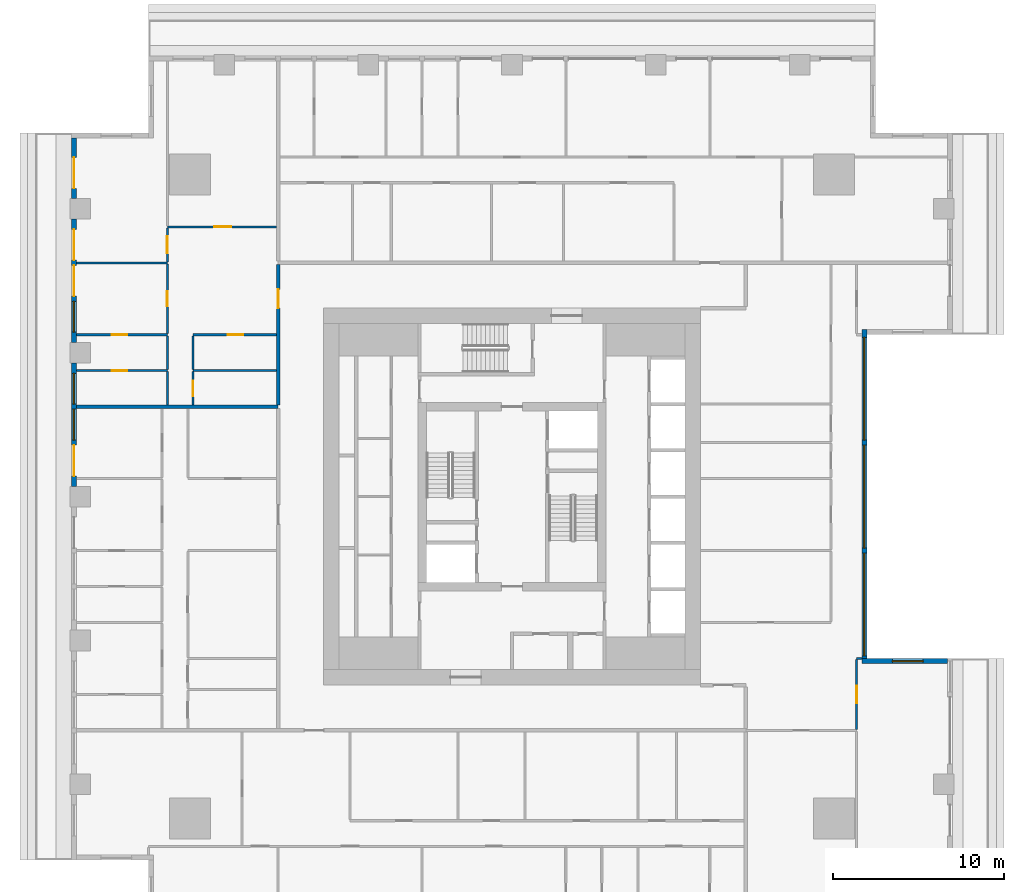
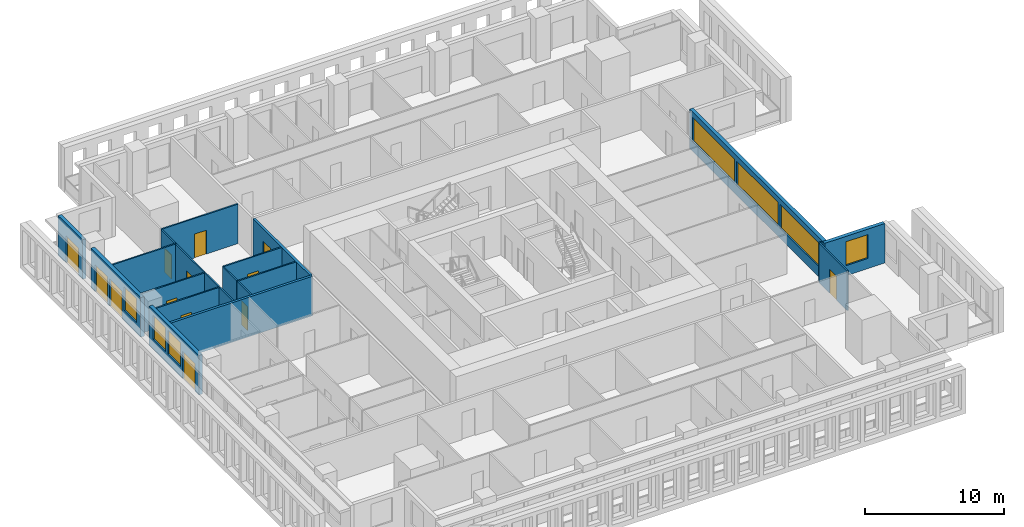
# One storey, part 6 of 15: 21 walls, 13 doors, 7 windows, 20 openings.
"""IFC4 building model written with IfcOpenShell, lengths in metres."""

from ifc_helpers import new_model, si_unit, direction, frame, frame_2d, origin, place, context, subcontext, project, spatial, rectangle, extrude, material, layer, layer_set, type_object, element, fill, save


model = new_model("IFC4")

# Units and contexts
model_context = context("Model", 3, precision=1e-05, world=origin(), true_north=direction((0.0, 1.0)))
body_context = subcontext(model_context, "Body", "Model", "MODEL_VIEW")
ifc_project = project(units=[si_unit("LENGTHUNIT", "METRE"), si_unit("AREAUNIT", "SQUARE_METRE"), si_unit("VOLUMEUNIT", "CUBIC_METRE"), si_unit("PLANEANGLEUNIT", "RADIAN"), si_unit("MASSUNIT", "GRAM", prefix="KILO")], contexts=[model_context])

# Site, building, storey
site_placement = place(None, origin())
site = spatial("IfcSite", under=ifc_project, at=site_placement, CompositionType="ELEMENT")
building_placement = place(site_placement, origin())
building = spatial("IfcBuilding", under=site, at=building_placement, Name="Khepri Terraces", CompositionType="ELEMENT")
storey_placement = place(building_placement, frame((0.0, 0.0, 215.699951171875)))
storey = spatial("IfcBuildingStorey", under=building, at=storey_placement, Name="L51", CompositionType="ELEMENT", Elevation=215.699951171875)

# Wall
ifc_material_1 = material(Name="Fire-rated gypsum plasterboard partition, mineral wool")
ifc_layer_1 = layer(ifc_material_1, 0.199951171875, Name="Fire-rated gypsum plasterboard partition, mineral wool")
ifc_layer_set_1 = layer_set([ifc_layer_1], Name="Fire-rated gypsum plasterboard partition, mineral wool")
wall_type_1 = type_object("IfcWallType", Name="WL-CORR-200", PredefinedType="PARTITIONING", material=ifc_layer_set_1)
wall_1_placement = place(storey_placement, frame((-25.419921875, 5.25, 0.0), z_axis=(0.0, 0.0, 1.0), x_axis=(1.0, 0.0, 0.0)))
element("IfcWall", 1, at=wall_1_placement, inside=storey, type_object=wall_type_1, Name="Partition P-052 L51", PredefinedType="PARTITIONING", context=body_context, shape_type="SweptSolid", body=[
    extrude(rectangle(XDim=11.77001953125, YDim=0.199951171875, at=frame_2d((5.885009765625, 0.0))), origin(), (0.0, 0.0, 1.0), 3.47998046875),
])

# Wall, opening, door
wall_2_placement = place(storey_placement, frame((-13.64990234375, 5.35009765625, 0.0), z_axis=(0.0, 0.0, 1.0), x_axis=(0.0, 1.0, 0.0)))
wall_2 = element("IfcWall", 2, at=wall_2_placement, inside=storey, type_object=wall_type_1, Name="Partition P-055 L51", PredefinedType="PARTITIONING", context=body_context, shape_type="SweptSolid", body=[
    extrude(rectangle(XDim=8.199951171875, YDim=0.199951171875, at=frame_2d((4.10009765625, 0.0))), origin(), (0.0, 0.0, 1.0), 3.47998046875),
])
opening_1_placement = place(wall_2_placement, frame((5.64990234375, 0.0, 0.0)))
opening_1 = element("IfcOpeningElement", 3, at=opening_1_placement, cuts=wall_2, Name="Opening D1", PredefinedType="OPENING", context=body_context, shape_type="SweptSolid", body=[
    extrude(rectangle(XDim=1.10009765625, YDim=2.39990234375, at=frame_2d((0.550048828125, 1.199951171875))), frame((0.0, 0.10986328125, 0.0), z_axis=(0.0, -1.0, 0.0), x_axis=(1.0, 0.0, 0.0)), (0.0, 0.0, 1.0), 0.219970703125),
])
ifc_material_2 = material(Name="Solid-core timber door leaf, flat entrance door", Category="wood")
door_type_1 = type_object("IfcDoorType", Name="DR-ENT-1100", OperationType="NOTDEFINED", PredefinedType="DOOR", material=ifc_material_2)
door_1_placement = place(opening_1_placement, origin())
door_1 = element("IfcDoor", 4, at=door_1_placement, inside=storey, type_object=door_type_1, Name="Flat D1 entrance door", OperationType="SINGLE_SWING_RIGHT", OverallHeight=2.39990234375, OverallWidth=1.10009765625, PredefinedType="DOOR", context=body_context, shape_type="SweptSolid", body=[
    extrude(rectangle(XDim=1.10009765625, YDim=2.39990234375, at=frame_2d((0.550048828125, 1.199951171875))), frame((0.0, 0.02490234375, 0.0), z_axis=(0.0, -1.0, 0.0), x_axis=(1.0, 0.0, 0.0)), (0.0, 0.0, 1.0), 0.050048828125),
])
fill(opening_1, door_1)

# Wall, opening, window
ifc_material_3 = material(Name="Precast concrete C50/60 warm stone", Category="masonry")
ifc_layer_2 = layer(ifc_material_3, 0.300048828125, Name="Precast concrete C50/60 warm stone", Category="masonry")
ifc_layer_set_2 = layer_set([ifc_layer_2], Name="Precast concrete C50/60 warm stone")
wall_type_2 = type_object("IfcWallType", Name="WL-EXT-PRECAST-300", PredefinedType="STANDARD", material=ifc_layer_set_2)
wall_3_placement = place(storey_placement, frame((25.419921875, -9.60009765625, 0.0), z_axis=(0.0, 0.0, 1.0), x_axis=(-1.0, 0.0, 0.0)))
wall_3 = element("IfcWall", 5, at=wall_3_placement, inside=storey, type_object=wall_type_2, Name="External wall L51 N", PredefinedType="STANDARD", context=body_context, shape_type="SweptSolid", body=[
    extrude(rectangle(XDim=5.0, YDim=0.300048828125, at=frame_2d((2.5, 0.0))), origin(), (0.0, 0.0, 1.0), 3.47998046875),
])
opening_2_placement = place(wall_3_placement, frame((1.419921875, 0.0, 0.89990234375)))
opening_2 = element("IfcOpeningElement", 6, at=opening_2_placement, cuts=wall_3, Name="Opening W1", PredefinedType="OPENING", context=body_context, shape_type="SweptSolid", body=[
    extrude(rectangle(XDim=1.800048828125, YDim=2.10009765625, at=frame_2d((0.89990234375, 1.050048828125))), frame((0.0, 0.16015625, 0.0), z_axis=(0.0, -1.0, 0.0), x_axis=(1.0, 0.0, 0.0)), (0.0, 0.0, 1.0), 0.320068359375),
])
ifc_material_4 = material(Name="Clear glass", Category="glass")
window_type_1 = type_object("IfcWindowType", Name="WIN-RES-1800x2100", PartitioningType="SINGLE_PANEL", PredefinedType="WINDOW", material=ifc_material_4)
window_1_placement = place(opening_2_placement, origin())
window_1 = element("IfcWindow", 7, at=window_1_placement, inside=storey, type_object=window_type_1, Name="Window L51 N", OverallHeight=2.10009765625, OverallWidth=1.800048828125, PartitioningType="SINGLE_PANEL", PredefinedType="WINDOW", context=body_context, shape_type="SweptSolid", body=[
    extrude(rectangle(XDim=1.800048828125, YDim=2.10009765625, at=frame_2d((0.89990234375, 1.050048828125))), frame((0.0, 0.030029296875, 0.0), z_axis=(0.0, -1.0, 0.0), x_axis=(1.0, 0.0, 0.0)), (0.0, 0.0, 1.0), 0.06005859375),
])
fill(opening_2, window_1)

# Wall, openings, windows
wall_4_placement = place(storey_placement, frame((20.570068359375, -9.449951171875, 0.0), z_axis=(0.0, 0.0, 1.0), x_axis=(0.0, 1.0, 0.0)))
wall_4 = element("IfcWall", 8, at=wall_4_placement, inside=storey, type_object=wall_type_2, Name="External wall L51 E", PredefinedType="STANDARD", context=body_context, shape_type="SweptSolid", body=[
    extrude(rectangle(XDim=19.199951171875, YDim=0.300048828125, at=frame_2d((9.60009765625, 0.0))), origin(), (0.0, 0.0, 1.0), 3.47998046875),
])
opening_3_placement = place(wall_4_placement, frame((0.14990234375, 0.0, 0.89990234375)))
opening_3 = element("IfcOpeningElement", 9, at=opening_3_placement, cuts=wall_4, Name="Opening W3", PredefinedType="OPENING", context=body_context, shape_type="SweptSolid", body=[
    extrude(rectangle(XDim=6.0, YDim=2.10009765625, at=frame_2d((3.0, 1.050048828125))), frame((0.0, 0.16015625, 0.0), z_axis=(0.0, -1.0, 0.0), x_axis=(1.0, 0.0, 0.0)), (0.0, 0.0, 1.0), 0.320068359375),
])
opening_4_placement = place(wall_4_placement, frame((6.449951171875, 0.0, 0.89990234375)))
opening_4 = element("IfcOpeningElement", 10, at=opening_4_placement, cuts=wall_4, Name="Opening W3", PredefinedType="OPENING", context=body_context, shape_type="SweptSolid", body=[
    extrude(rectangle(XDim=6.0, YDim=2.10009765625, at=frame_2d((3.0, 1.050048828125))), frame((0.0, 0.16015625, 0.0), z_axis=(0.0, -1.0, 0.0), x_axis=(1.0, 0.0, 0.0)), (0.0, 0.0, 1.0), 0.320068359375),
])
opening_5_placement = place(wall_4_placement, frame((12.75, 0.0, 0.89990234375)))
opening_5 = element("IfcOpeningElement", 11, at=opening_5_placement, cuts=wall_4, Name="Opening W3", PredefinedType="OPENING", context=body_context, shape_type="SweptSolid", body=[
    extrude(rectangle(XDim=6.0, YDim=2.10009765625, at=frame_2d((3.0, 1.050048828125))), frame((0.0, 0.16015625, 0.0), z_axis=(0.0, -1.0, 0.0), x_axis=(1.0, 0.0, 0.0)), (0.0, 0.0, 1.0), 0.320068359375),
])
window_type_2 = type_object("IfcWindowType", Name="WIN-RES-6000x2100", PartitioningType="SINGLE_PANEL", PredefinedType="WINDOW", material=ifc_material_4)
window_2_placement = place(opening_3_placement, origin())
window_2 = element("IfcWindow", 12, at=window_2_placement, inside=storey, type_object=window_type_2, Name="Window L51 E", OverallHeight=2.10009765625, OverallWidth=6.0, PartitioningType="SINGLE_PANEL", PredefinedType="WINDOW", context=body_context, shape_type="SweptSolid", body=[
    extrude(rectangle(XDim=6.0, YDim=2.10009765625, at=frame_2d((3.0, 1.050048828125))), frame((0.0, 0.030029296875, 0.0), z_axis=(0.0, -1.0, 0.0), x_axis=(1.0, 0.0, 0.0)), (0.0, 0.0, 1.0), 0.06005859375),
])
fill(opening_3, window_2)
window_3_placement = place(opening_4_placement, origin())
window_3 = element("IfcWindow", 13, at=window_3_placement, inside=storey, type_object=window_type_2, Name="Window L51 E", OverallHeight=2.10009765625, OverallWidth=6.0, PartitioningType="SINGLE_PANEL", PredefinedType="WINDOW", context=body_context, shape_type="SweptSolid", body=[
    extrude(rectangle(XDim=6.0, YDim=2.10009765625, at=frame_2d((3.0, 1.050048828125))), frame((0.0, 0.030029296875, 0.0), z_axis=(0.0, -1.0, 0.0), x_axis=(1.0, 0.0, 0.0)), (0.0, 0.0, 1.0), 0.06005859375),
])
fill(opening_4, window_3)
window_4_placement = place(opening_5_placement, origin())
window_4 = element("IfcWindow", 14, at=window_4_placement, inside=storey, type_object=window_type_2, Name="Window L51 E", OverallHeight=2.10009765625, OverallWidth=6.0, PartitioningType="SINGLE_PANEL", PredefinedType="WINDOW", context=body_context, shape_type="SweptSolid", body=[
    extrude(rectangle(XDim=6.0, YDim=2.10009765625, at=frame_2d((3.0, 1.050048828125))), frame((0.0, 0.030029296875, 0.0), z_axis=(0.0, -1.0, 0.0), x_axis=(1.0, 0.0, 0.0)), (0.0, 0.0, 1.0), 0.06005859375),
])
fill(opening_5, window_4)

# Wall, opening, door
wall_5_placement = place(storey_placement, frame((-25.570068359375, 20.919921875, 0.0), z_axis=(0.0, 0.0, 1.0), x_axis=(0.0, -1.0, 0.0)))
wall_5 = element("IfcWall", 15, at=wall_5_placement, inside=storey, type_object=wall_type_2, Name="External wall L51 W", PredefinedType="STANDARD", context=body_context, shape_type="SweptSolid", body=[
    extrude(rectangle(XDim=3.52001953125, YDim=0.300048828125, at=frame_2d((1.760009765625, 0.0))), origin(), (0.0, 0.0, 1.0), 3.47998046875),
])
opening_6_placement = place(wall_5_placement, frame((1.1201171875, 0.0, 0.0)))
opening_6 = element("IfcOpeningElement", 16, at=opening_6_placement, cuts=wall_5, Name="Opening ED-L51-10", PredefinedType="OPENING", context=body_context, shape_type="SweptSolid", body=[
    extrude(rectangle(XDim=1.800048828125, YDim=2.39990234375, at=frame_2d((0.89990234375, 1.199951171875))), frame((0.0, 0.16015625, 0.0), z_axis=(0.0, -1.0, 0.0), x_axis=(1.0, 0.0, 0.0)), (0.0, 0.0, 1.0), 0.320068359375),
])
ifc_material_5 = material(Name="Anodised aluminium bronze glazed door", Category="aluminium")
door_type_2 = type_object("IfcDoorType", Name="DR-BAL-SLIDE-1800x2400", OperationType="NOTDEFINED", PredefinedType="DOOR", material=ifc_material_5)
door_2_placement = place(opening_6_placement, origin())
door_2 = element("IfcDoor", 17, at=door_2_placement, inside=storey, type_object=door_type_2, Name="Balcony door L51 W", OperationType="SLIDING_TO_RIGHT", OverallHeight=2.39990234375, OverallWidth=1.800048828125, PredefinedType="DOOR", context=body_context, shape_type="SweptSolid", body=[
    extrude(rectangle(XDim=1.800048828125, YDim=2.39990234375, at=frame_2d((0.89990234375, 1.199951171875))), frame((0.0, 0.02490234375, 0.0), z_axis=(0.0, -1.0, 0.0), x_axis=(1.0, 0.0, 0.0)), (0.0, 0.0, 1.0), 0.050048828125),
])
fill(opening_6, door_2)

# Wall, openings, doors, window
wall_6_placement = place(storey_placement, frame((-25.570068359375, 16.199951171875, 0.0), z_axis=(0.0, 0.0, 1.0), x_axis=(0.0, -1.0, 0.0)))
wall_6 = element("IfcWall", 18, at=wall_6_placement, inside=storey, type_object=wall_type_2, Name="External wall L51 W", PredefinedType="STANDARD", context=body_context, shape_type="SweptSolid", body=[
    extrude(rectangle(XDim=7.199951171875, YDim=0.300048828125, at=frame_2d((3.60009765625, 0.0))), origin(), (0.0, 0.0, 1.0), 3.47998046875),
])
opening_7_placement = place(wall_6_placement, frame((0.60009765625, 0.0, 0.0)))
opening_7 = element("IfcOpeningElement", 19, at=opening_7_placement, cuts=wall_6, Name="Opening ED-L51-11", PredefinedType="OPENING", context=body_context, shape_type="SweptSolid", body=[
    extrude(rectangle(XDim=1.800048828125, YDim=2.39990234375, at=frame_2d((0.89990234375, 1.199951171875))), frame((0.0, 0.16015625, 0.0), z_axis=(0.0, -1.0, 0.0), x_axis=(1.0, 0.0, 0.0)), (0.0, 0.0, 1.0), 0.320068359375),
])
opening_8_placement = place(wall_6_placement, frame((2.699951171875, 0.0, 0.0)))
opening_8 = element("IfcOpeningElement", 20, at=opening_8_placement, cuts=wall_6, Name="Opening ED-L51-12", PredefinedType="OPENING", context=body_context, shape_type="SweptSolid", body=[
    extrude(rectangle(XDim=1.800048828125, YDim=2.39990234375, at=frame_2d((0.89990234375, 1.199951171875))), frame((0.0, 0.16015625, 0.0), z_axis=(0.0, -1.0, 0.0), x_axis=(1.0, 0.0, 0.0)), (0.0, 0.0, 1.0), 0.320068359375),
])
opening_9_placement = place(wall_6_placement, frame((4.800048828125, 0.0, 0.89990234375)))
opening_9 = element("IfcOpeningElement", 21, at=opening_9_placement, cuts=wall_6, Name="Opening W1", PredefinedType="OPENING", context=body_context, shape_type="SweptSolid", body=[
    extrude(rectangle(XDim=1.800048828125, YDim=2.10009765625, at=frame_2d((0.89990234375, 1.050048828125))), frame((0.0, 0.16015625, 0.0), z_axis=(0.0, -1.0, 0.0), x_axis=(1.0, 0.0, 0.0)), (0.0, 0.0, 1.0), 0.320068359375),
])
door_3_placement = place(opening_7_placement, origin())
door_3 = element("IfcDoor", 22, at=door_3_placement, inside=storey, type_object=door_type_2, Name="Balcony door L51 W", OperationType="SLIDING_TO_LEFT", OverallHeight=2.39990234375, OverallWidth=1.800048828125, PredefinedType="DOOR", context=body_context, shape_type="SweptSolid", body=[
    extrude(rectangle(XDim=1.800048828125, YDim=2.39990234375, at=frame_2d((0.89990234375, 1.199951171875))), frame((0.0, 0.02490234375, 0.0), z_axis=(0.0, -1.0, 0.0), x_axis=(1.0, 0.0, 0.0)), (0.0, 0.0, 1.0), 0.050048828125),
])
fill(opening_7, door_3)
door_4_placement = place(opening_8_placement, origin())
door_4 = element("IfcDoor", 23, at=door_4_placement, inside=storey, type_object=door_type_2, Name="Balcony door L51 W", OperationType="SLIDING_TO_RIGHT", OverallHeight=2.39990234375, OverallWidth=1.800048828125, PredefinedType="DOOR", context=body_context, shape_type="SweptSolid", body=[
    extrude(rectangle(XDim=1.800048828125, YDim=2.39990234375, at=frame_2d((0.89990234375, 1.199951171875))), frame((0.0, 0.02490234375, 0.0), z_axis=(0.0, -1.0, 0.0), x_axis=(1.0, 0.0, 0.0)), (0.0, 0.0, 1.0), 0.050048828125),
])
fill(opening_8, door_4)
window_5_placement = place(opening_9_placement, origin())
window_5 = element("IfcWindow", 24, at=window_5_placement, inside=storey, type_object=window_type_1, Name="Window L51 W", OverallHeight=2.10009765625, OverallWidth=1.800048828125, PartitioningType="SINGLE_PANEL", PredefinedType="WINDOW", context=body_context, shape_type="SweptSolid", body=[
    extrude(rectangle(XDim=1.800048828125, YDim=2.10009765625, at=frame_2d((0.89990234375, 1.050048828125))), frame((0.0, 0.030029296875, 0.0), z_axis=(0.0, -1.0, 0.0), x_axis=(1.0, 0.0, 0.0)), (0.0, 0.0, 1.0), 0.06005859375),
])
fill(opening_9, window_5)

# Wall, openings, door, windows
wall_7_placement = place(storey_placement, frame((-25.570068359375, 7.800048828125, 0.0), z_axis=(0.0, 0.0, 1.0), x_axis=(0.0, -1.0, 0.0)))
wall_7 = element("IfcWall", 25, at=wall_7_placement, inside=storey, type_object=wall_type_2, Name="External wall L51 W", PredefinedType="STANDARD", context=body_context, shape_type="SweptSolid", body=[
    extrude(rectangle(XDim=7.199951171875, YDim=0.300048828125, at=frame_2d((3.60009765625, 0.0))), origin(), (0.0, 0.0, 1.0), 3.47998046875),
])
opening_10_placement = place(wall_7_placement, frame((0.60009765625, 0.0, 0.89990234375)))
opening_10 = element("IfcOpeningElement", 26, at=opening_10_placement, cuts=wall_7, Name="Opening W1", PredefinedType="OPENING", context=body_context, shape_type="SweptSolid", body=[
    extrude(rectangle(XDim=1.800048828125, YDim=2.10009765625, at=frame_2d((0.89990234375, 1.050048828125))), frame((0.0, 0.16015625, 0.0), z_axis=(0.0, -1.0, 0.0), x_axis=(1.0, 0.0, 0.0)), (0.0, 0.0, 1.0), 0.320068359375),
])
opening_11_placement = place(wall_7_placement, frame((2.699951171875, 0.0, 0.89990234375)))
opening_11 = element("IfcOpeningElement", 27, at=opening_11_placement, cuts=wall_7, Name="Opening W1", PredefinedType="OPENING", context=body_context, shape_type="SweptSolid", body=[
    extrude(rectangle(XDim=1.800048828125, YDim=2.10009765625, at=frame_2d((0.89990234375, 1.050048828125))), frame((0.0, 0.16015625, 0.0), z_axis=(0.0, -1.0, 0.0), x_axis=(1.0, 0.0, 0.0)), (0.0, 0.0, 1.0), 0.320068359375),
])
opening_12_placement = place(wall_7_placement, frame((4.800048828125, 0.0, 0.0)))
opening_12 = element("IfcOpeningElement", 28, at=opening_12_placement, cuts=wall_7, Name="Opening ED-L51-13", PredefinedType="OPENING", context=body_context, shape_type="SweptSolid", body=[
    extrude(rectangle(XDim=1.800048828125, YDim=2.39990234375, at=frame_2d((0.89990234375, 1.199951171875))), frame((0.0, 0.16015625, 0.0), z_axis=(0.0, -1.0, 0.0), x_axis=(1.0, 0.0, 0.0)), (0.0, 0.0, 1.0), 0.320068359375),
])
door_5_placement = place(opening_12_placement, origin())
door_5 = element("IfcDoor", 29, at=door_5_placement, inside=storey, type_object=door_type_2, Name="Balcony door L51 W", OperationType="SLIDING_TO_RIGHT", OverallHeight=2.39990234375, OverallWidth=1.800048828125, PredefinedType="DOOR", context=body_context, shape_type="SweptSolid", body=[
    extrude(rectangle(XDim=1.800048828125, YDim=2.39990234375, at=frame_2d((0.89990234375, 1.199951171875))), frame((0.0, 0.02490234375, 0.0), z_axis=(0.0, -1.0, 0.0), x_axis=(1.0, 0.0, 0.0)), (0.0, 0.0, 1.0), 0.050048828125),
])
fill(opening_12, door_5)
window_6_placement = place(opening_10_placement, origin())
window_6 = element("IfcWindow", 30, at=window_6_placement, inside=storey, type_object=window_type_1, Name="Window L51 W", OverallHeight=2.10009765625, OverallWidth=1.800048828125, PartitioningType="SINGLE_PANEL", PredefinedType="WINDOW", context=body_context, shape_type="SweptSolid", body=[
    extrude(rectangle(XDim=1.800048828125, YDim=2.10009765625, at=frame_2d((0.89990234375, 1.050048828125))), frame((0.0, 0.030029296875, 0.0), z_axis=(0.0, -1.0, 0.0), x_axis=(1.0, 0.0, 0.0)), (0.0, 0.0, 1.0), 0.06005859375),
])
fill(opening_10, window_6)
window_7_placement = place(opening_11_placement, origin())
window_7 = element("IfcWindow", 31, at=window_7_placement, inside=storey, type_object=window_type_1, Name="Window L51 W", OverallHeight=2.10009765625, OverallWidth=1.800048828125, PartitioningType="SINGLE_PANEL", PredefinedType="WINDOW", context=body_context, shape_type="SweptSolid", body=[
    extrude(rectangle(XDim=1.800048828125, YDim=2.10009765625, at=frame_2d((0.89990234375, 1.050048828125))), frame((0.0, 0.030029296875, 0.0), z_axis=(0.0, -1.0, 0.0), x_axis=(1.0, 0.0, 0.0)), (0.0, 0.0, 1.0), 0.06005859375),
])
fill(opening_11, window_7)

# Wall, opening, door
ifc_material_6 = material(Name="Gypsum plasterboard partition")
ifc_layer_3 = layer(ifc_material_6, 0.1201171875, Name="Gypsum plasterboard partition")
ifc_layer_set_3 = layer_set([ifc_layer_3], Name="Gypsum plasterboard partition")
wall_type_3 = type_object("IfcWallType", Name="WL-PART-120", PredefinedType="PARTITIONING", material=ifc_layer_set_3)
wall_8_placement = place(storey_placement, frame((20.1201171875, -13.590087890625, 0.0), z_axis=(0.0, 0.0, 1.0), x_axis=(0.0, 1.0, 0.0)))
wall_8 = element("IfcWall", 32, at=wall_8_placement, inside=storey, type_object=wall_type_3, Name="Partition P-020 L51", PredefinedType="PARTITIONING", context=body_context, shape_type="SweptSolid", body=[
    extrude(rectangle(XDim=4.080078125, YDim=0.1201171875, at=frame_2d((2.0400390625, 0.0))), origin(), (0.0, 0.0, 1.0), 3.47998046875),
])
opening_13_placement = place(wall_8_placement, frame((1.5400390625, 0.0, 0.0)))
opening_13 = element("IfcOpeningElement", 33, at=opening_13_placement, cuts=wall_8, Name="Opening D2", PredefinedType="OPENING", context=body_context, shape_type="SweptSolid", body=[
    extrude(rectangle(XDim=1.0, YDim=2.10009765625, at=frame_2d((0.5, 1.050048828125))), frame((0.0, 0.070068359375, 0.0), z_axis=(0.0, -1.0, 0.0), x_axis=(1.0, 0.0, 0.0)), (0.0, 0.0, 1.0), 0.14013671875),
])
ifc_material_7 = material(Name="Timber door leaf, living room door", Category="wood")
door_type_3 = type_object("IfcDoorType", Name="DR-INT-1000", OperationType="NOTDEFINED", PredefinedType="DOOR", material=ifc_material_7)
door_6_placement = place(opening_13_placement, frame((1.0, 0.0, 0.0), z_axis=(0.0, 0.0, 1.0), x_axis=(-1.0, 0.0, 0.0)))
door_6 = element("IfcDoor", 34, at=door_6_placement, inside=storey, type_object=door_type_3, Name="Door Living Room", OperationType="SINGLE_SWING_RIGHT", OverallHeight=2.10009765625, OverallWidth=1.0, PredefinedType="DOOR", context=body_context, shape_type="SweptSolid", body=[
    extrude(rectangle(XDim=1.0, YDim=2.10009765625, at=frame_2d((0.5, 1.050048828125))), frame((0.0, 0.02490234375, 0.0), z_axis=(0.0, -1.0, 0.0), x_axis=(1.0, 0.0, 0.0)), (0.0, 0.0, 1.0), 0.050048828125),
])
fill(opening_13, door_6)

# Walls
wall_9_placement = place(storey_placement, frame((20.1201171875, -9.449951171875, 0.0), z_axis=(0.0, 0.0, 1.0), x_axis=(1.0, 0.0, 0.0)))
element("IfcWall", 35, at=wall_9_placement, inside=storey, type_object=wall_type_3, Name="Partition P-031 L51", PredefinedType="PARTITIONING", context=body_context, shape_type="SweptSolid", body=[
    extrude(rectangle(XDim=0.2998046875, YDim=0.1201171875, at=frame_2d((0.14990234375, 0.0))), origin(), (0.0, 0.0, 1.0), 3.47998046875),
])
wall_10_placement = place(storey_placement, frame((-20.1201171875, 5.35009765625, 0.0), z_axis=(0.0, 0.0, 1.0), x_axis=(0.0, 1.0, 0.0)))
element("IfcWall", 36, at=wall_10_placement, inside=storey, type_object=wall_type_3, Name="Partition P-053 L51", PredefinedType="PARTITIONING", context=body_context, shape_type="SweptSolid", body=[
    extrude(rectangle(XDim=1.93994140625, YDim=0.1201171875, at=frame_2d((0.969970703125, 0.0))), origin(), (0.0, 0.0, 1.0), 3.47998046875),
])

# Wall, opening, door
wall_11_placement = place(storey_placement, frame((-18.6201171875, 5.35009765625, 0.0), z_axis=(0.0, 0.0, 1.0), x_axis=(0.0, 1.0, 0.0)))
wall_11 = element("IfcWall", 37, at=wall_11_placement, inside=storey, type_object=wall_type_3, Name="Partition P-054 L51", PredefinedType="PARTITIONING", context=body_context, shape_type="SweptSolid", body=[
    extrude(rectangle(XDim=1.93994140625, YDim=0.1201171875, at=frame_2d((0.969970703125, 0.0))), origin(), (0.0, 0.0, 1.0), 3.47998046875),
])
opening_14_placement = place(wall_11_placement, frame((0.5, 0.0, 0.0)))
opening_14 = element("IfcOpeningElement", 38, at=opening_14_placement, cuts=wall_11, Name="Opening D3", PredefinedType="OPENING", context=body_context, shape_type="SweptSolid", body=[
    extrude(rectangle(XDim=0.89990234375, YDim=2.10009765625, at=frame_2d((0.449951171875, 1.050048828125))), frame((0.0, 0.070068359375, 0.0), z_axis=(0.0, -1.0, 0.0), x_axis=(1.0, 0.0, 0.0)), (0.0, 0.0, 1.0), 0.14013671875),
])
ifc_material_8 = material(Name="Timber door leaf", Category="wood")
door_type_4 = type_object("IfcDoorType", Name="DR-INT-900", OperationType="NOTDEFINED", PredefinedType="DOOR", material=ifc_material_8)
door_7_placement = place(opening_14_placement, frame((0.89990234375, 0.0, 0.0), z_axis=(0.0, 0.0, 1.0), x_axis=(-1.0, 0.0, 0.0)))
door_7 = element("IfcDoor", 39, at=door_7_placement, inside=storey, type_object=door_type_4, Name="Door Kitchen", OperationType="SINGLE_SWING_RIGHT", OverallHeight=2.10009765625, OverallWidth=0.89990234375, PredefinedType="DOOR", context=body_context, shape_type="SweptSolid", body=[
    extrude(rectangle(XDim=0.89990234375, YDim=2.10009765625, at=frame_2d((0.449951171875, 1.050048828125))), frame((0.0, 0.02490234375, 0.0), z_axis=(0.0, -1.0, 0.0), x_axis=(1.0, 0.0, 0.0)), (0.0, 0.0, 1.0), 0.050048828125),
])
fill(opening_14, door_7)

wall_12_placement = place(storey_placement, frame((-25.419921875, 7.35009765625, 0.0), z_axis=(0.0, 0.0, 1.0), x_axis=(1.0, 0.0, 0.0)))
wall_12 = element("IfcWall", 40, at=wall_12_placement, inside=storey, type_object=wall_type_3, Name="Partition P-058 L51", PredefinedType="PARTITIONING", context=body_context, shape_type="SweptSolid", body=[
    extrude(rectangle(XDim=5.2998046875, YDim=0.1201171875, at=frame_2d((2.64990234375, 0.0))), origin(), (0.0, 0.0, 1.0), 3.47998046875),
])
opening_15_placement = place(wall_12_placement, frame((2.050048828125, 0.0, 0.0)))
opening_15 = element("IfcOpeningElement", 41, at=opening_15_placement, cuts=wall_12, Name="Opening D4", PredefinedType="OPENING", context=body_context, shape_type="SweptSolid", body=[
    extrude(rectangle(XDim=0.89990234375, YDim=2.10009765625, at=frame_2d((0.449951171875, 1.050048828125))), frame((0.0, 0.070068359375, 0.0), z_axis=(0.0, -1.0, 0.0), x_axis=(1.0, 0.0, 0.0)), (0.0, 0.0, 1.0), 0.14013671875),
])
ifc_material_9 = material(Name="Timber door leaf, moisture resistant", Category="wood")
door_type_5 = type_object("IfcDoorType", Name="DR-WET-900", OperationType="NOTDEFINED", PredefinedType="DOOR", material=ifc_material_9)
door_8_placement = place(opening_15_placement, frame((0.89990234375, 0.0, 0.0), z_axis=(0.0, 0.0, 1.0), x_axis=(-1.0, 0.0, 0.0)))
door_8 = element("IfcDoor", 42, at=door_8_placement, inside=storey, type_object=door_type_5, Name="Door Bathroom", OperationType="SINGLE_SWING_RIGHT", OverallHeight=2.10009765625, OverallWidth=0.89990234375, PredefinedType="DOOR", context=body_context, shape_type="SweptSolid", body=[
    extrude(rectangle(XDim=0.89990234375, YDim=2.10009765625, at=frame_2d((0.449951171875, 1.050048828125))), frame((0.0, 0.02490234375, 0.0), z_axis=(0.0, -1.0, 0.0), x_axis=(1.0, 0.0, 0.0)), (0.0, 0.0, 1.0), 0.050048828125),
])
fill(opening_15, door_8)

# Walls
wall_13_placement = place(storey_placement, frame((-18.6201171875, 7.35009765625, 0.0), z_axis=(0.0, 0.0, 1.0), x_axis=(1.0, 0.0, 0.0)))
element("IfcWall", 43, at=wall_13_placement, inside=storey, type_object=wall_type_3, Name="Partition P-059 L51", PredefinedType="PARTITIONING", context=body_context, shape_type="SweptSolid", body=[
    extrude(rectangle(XDim=4.8701171875, YDim=0.1201171875, at=frame_2d((2.43505859375, 0.0))), origin(), (0.0, 0.0, 1.0), 3.47998046875),
])
for number, where, z_axis, x_axis, name in (
    (44, (-20.1201171875, 7.409912109375, 0.0), (0.0, 0.0, 1.0), (0.0, 1.0, 0.0), "Partition P-060 L51"),
    (45, (-18.6201171875, 7.409912109375, 0.0), (0.0, 0.0, 1.0), (0.0, 1.0, 0.0), "Partition P-061 L51"),
):
    element("IfcWall", number, at=place(storey_placement, frame(where, z_axis=z_axis, x_axis=x_axis)), inside=storey, type_object=wall_type_3, Name=name, PredefinedType="PARTITIONING", context=body_context, shape_type="SweptSolid", body=[
        extrude(rectangle(XDim=1.97998046875, YDim=0.1201171875, at=frame_2d((0.989990234375, 0.0))), origin(), (0.0, 0.0, 1.0), 3.47998046875),
    ])

# Wall, opening, door
wall_14_placement = place(storey_placement, frame((-25.419921875, 9.449951171875, 0.0), z_axis=(0.0, 0.0, 1.0), x_axis=(1.0, 0.0, 0.0)))
wall_14 = element("IfcWall", 46, at=wall_14_placement, inside=storey, type_object=wall_type_3, Name="Partition P-062 L51", PredefinedType="PARTITIONING", context=body_context, shape_type="SweptSolid", body=[
    extrude(rectangle(XDim=5.2998046875, YDim=0.1201171875, at=frame_2d((2.64990234375, 0.0))), origin(), (0.0, 0.0, 1.0), 3.47998046875),
])
opening_16_placement = place(wall_14_placement, frame((2.050048828125, 0.0, 0.0)))
opening_16 = element("IfcOpeningElement", 47, at=opening_16_placement, cuts=wall_14, Name="Opening D3", PredefinedType="OPENING", context=body_context, shape_type="SweptSolid", body=[
    extrude(rectangle(XDim=0.89990234375, YDim=2.10009765625, at=frame_2d((0.449951171875, 1.050048828125))), frame((0.0, 0.070068359375, 0.0), z_axis=(0.0, -1.0, 0.0), x_axis=(1.0, 0.0, 0.0)), (0.0, 0.0, 1.0), 0.14013671875),
])
door_9_placement = place(opening_16_placement, frame((0.89990234375, 0.0, 0.0), z_axis=(0.0, 0.0, 1.0), x_axis=(-1.0, 0.0, 0.0)))
door_9 = element("IfcDoor", 48, at=door_9_placement, inside=storey, type_object=door_type_4, Name="Door Dressing Room", OperationType="SINGLE_SWING_RIGHT", OverallHeight=2.10009765625, OverallWidth=0.89990234375, PredefinedType="DOOR", context=body_context, shape_type="SweptSolid", body=[
    extrude(rectangle(XDim=0.89990234375, YDim=2.10009765625, at=frame_2d((0.449951171875, 1.050048828125))), frame((0.0, 0.02490234375, 0.0), z_axis=(0.0, -1.0, 0.0), x_axis=(1.0, 0.0, 0.0)), (0.0, 0.0, 1.0), 0.050048828125),
])
fill(opening_16, door_9)

wall_15_placement = place(storey_placement, frame((-18.6201171875, 9.449951171875, 0.0), z_axis=(0.0, 0.0, 1.0), x_axis=(1.0, 0.0, 0.0)))
wall_15 = element("IfcWall", 49, at=wall_15_placement, inside=storey, type_object=wall_type_3, Name="Partition P-063 L51", PredefinedType="PARTITIONING", context=body_context, shape_type="SweptSolid", body=[
    extrude(rectangle(XDim=4.8701171875, YDim=0.1201171875, at=frame_2d((2.43505859375, 0.0))), origin(), (0.0, 0.0, 1.0), 3.47998046875),
])
opening_17_placement = place(wall_15_placement, frame((2.034912109375, 0.0, 0.0)))
opening_17 = element("IfcOpeningElement", 50, at=opening_17_placement, cuts=wall_15, Name="Opening D4", PredefinedType="OPENING", context=body_context, shape_type="SweptSolid", body=[
    extrude(rectangle(XDim=0.89990234375, YDim=2.10009765625, at=frame_2d((0.449951171875, 1.050048828125))), frame((0.0, 0.070068359375, 0.0), z_axis=(0.0, -1.0, 0.0), x_axis=(1.0, 0.0, 0.0)), (0.0, 0.0, 1.0), 0.14013671875),
])
door_10_placement = place(opening_17_placement, frame((0.89990234375, 0.0, 0.0), z_axis=(0.0, 0.0, 1.0), x_axis=(-1.0, 0.0, 0.0)))
door_10 = element("IfcDoor", 51, at=door_10_placement, inside=storey, type_object=door_type_5, Name="Door Guest Bathroom", OperationType="SINGLE_SWING_LEFT", OverallHeight=2.10009765625, OverallWidth=0.89990234375, PredefinedType="DOOR", context=body_context, shape_type="SweptSolid", body=[
    extrude(rectangle(XDim=0.89990234375, YDim=2.10009765625, at=frame_2d((0.449951171875, 1.050048828125))), frame((0.0, 0.02490234375, 0.0), z_axis=(0.0, -1.0, 0.0), x_axis=(1.0, 0.0, 0.0)), (0.0, 0.0, 1.0), 0.050048828125),
])
fill(opening_17, door_10)

wall_16_placement = place(storey_placement, frame((-20.1201171875, 9.510009765625, 0.0), z_axis=(0.0, 0.0, 1.0), x_axis=(0.0, 1.0, 0.0)))
wall_16 = element("IfcWall", 52, at=wall_16_placement, inside=storey, type_object=wall_type_3, Name="Partition P-065 L51", PredefinedType="PARTITIONING", context=body_context, shape_type="SweptSolid", body=[
    extrude(rectangle(XDim=4.080078125, YDim=0.1201171875, at=frame_2d((2.0400390625, 0.0))), origin(), (0.0, 0.0, 1.0), 3.47998046875),
])
opening_18_placement = place(wall_16_placement, frame((1.590087890625, 0.0, 0.0)))
opening_18 = element("IfcOpeningElement", 53, at=opening_18_placement, cuts=wall_16, Name="Opening D3", PredefinedType="OPENING", context=body_context, shape_type="SweptSolid", body=[
    extrude(rectangle(XDim=0.89990234375, YDim=2.10009765625, at=frame_2d((0.449951171875, 1.050048828125))), frame((0.0, 0.070068359375, 0.0), z_axis=(0.0, -1.0, 0.0), x_axis=(1.0, 0.0, 0.0)), (0.0, 0.0, 1.0), 0.14013671875),
])
door_11_placement = place(opening_18_placement, origin())
door_11 = element("IfcDoor", 54, at=door_11_placement, inside=storey, type_object=door_type_4, Name="Door Master Bedroom", OperationType="SINGLE_SWING_RIGHT", OverallHeight=2.10009765625, OverallWidth=0.89990234375, PredefinedType="DOOR", context=body_context, shape_type="SweptSolid", body=[
    extrude(rectangle(XDim=0.89990234375, YDim=2.10009765625, at=frame_2d((0.449951171875, 1.050048828125))), frame((0.0, 0.02490234375, 0.0), z_axis=(0.0, -1.0, 0.0), x_axis=(1.0, 0.0, 0.0)), (0.0, 0.0, 1.0), 0.050048828125),
])
fill(opening_18, door_11)

# Wall
wall_17_placement = place(storey_placement, frame((-25.419921875, 13.64990234375, 0.0), z_axis=(0.0, 0.0, 1.0), x_axis=(1.0, 0.0, 0.0)))
element("IfcWall", 55, at=wall_17_placement, inside=storey, type_object=wall_type_3, Name="Partition P-069 L51", PredefinedType="PARTITIONING", context=body_context, shape_type="SweptSolid", body=[
    extrude(rectangle(XDim=5.2998046875, YDim=0.1201171875, at=frame_2d((2.64990234375, 0.0))), origin(), (0.0, 0.0, 1.0), 3.47998046875),
])

# Wall, opening, door
wall_18_placement = place(storey_placement, frame((-20.1201171875, 13.7099609375, 0.0), z_axis=(0.0, 0.0, 1.0), x_axis=(0.0, 1.0, 0.0)))
wall_18 = element("IfcWall", 56, at=wall_18_placement, inside=storey, type_object=wall_type_3, Name="Partition P-071 L51", PredefinedType="PARTITIONING", context=body_context, shape_type="SweptSolid", body=[
    extrude(rectangle(XDim=1.97998046875, YDim=0.1201171875, at=frame_2d((0.989990234375, 0.0))), origin(), (0.0, 0.0, 1.0), 3.47998046875),
])
opening_19_placement = place(wall_18_placement, frame((0.489990234375, 0.0, 0.0)))
opening_19 = element("IfcOpeningElement", 57, at=opening_19_placement, cuts=wall_18, Name="Opening D2", PredefinedType="OPENING", context=body_context, shape_type="SweptSolid", body=[
    extrude(rectangle(XDim=1.0, YDim=2.10009765625, at=frame_2d((0.5, 1.050048828125))), frame((0.0, 0.070068359375, 0.0), z_axis=(0.0, -1.0, 0.0), x_axis=(1.0, 0.0, 0.0)), (0.0, 0.0, 1.0), 0.14013671875),
])
door_12_placement = place(opening_19_placement, origin())
door_12 = element("IfcDoor", 58, at=door_12_placement, inside=storey, type_object=door_type_3, Name="Door Living Room", OperationType="SINGLE_SWING_LEFT", OverallHeight=2.10009765625, OverallWidth=1.0, PredefinedType="DOOR", context=body_context, shape_type="SweptSolid", body=[
    extrude(rectangle(XDim=1.0, YDim=2.10009765625, at=frame_2d((0.5, 1.050048828125))), frame((0.0, 0.02490234375, 0.0), z_axis=(0.0, -1.0, 0.0), x_axis=(1.0, 0.0, 0.0)), (0.0, 0.0, 1.0), 0.050048828125),
])
fill(opening_19, door_12)

wall_19_placement = place(storey_placement, frame((-20.1201171875, 15.75, 0.0), z_axis=(0.0, 0.0, 1.0), x_axis=(1.0, 0.0, 0.0)))
wall_19 = element("IfcWall", 59, at=wall_19_placement, inside=storey, type_object=wall_type_3, Name="Partition P-079 L51", PredefinedType="PARTITIONING", context=body_context, shape_type="SweptSolid", body=[
    extrude(rectangle(XDim=6.3701171875, YDim=0.1201171875, at=frame_2d((3.18505859375, 0.0))), origin(), (0.0, 0.0, 1.0), 3.47998046875),
])
opening_20_placement = place(wall_19_placement, frame((2.735107421875, 0.0, 0.0)))
opening_20 = element("IfcOpeningElement", 60, at=opening_20_placement, cuts=wall_19, Name="Opening D2", PredefinedType="OPENING", context=body_context, shape_type="SweptSolid", body=[
    extrude(rectangle(XDim=1.0, YDim=2.10009765625, at=frame_2d((0.5, 1.050048828125))), frame((0.0, 0.070068359375, 0.0), z_axis=(0.0, -1.0, 0.0), x_axis=(1.0, 0.0, 0.0)), (0.0, 0.0, 1.0), 0.14013671875),
])
door_13_placement = place(opening_20_placement, origin())
door_13 = element("IfcDoor", 61, at=door_13_placement, inside=storey, type_object=door_type_3, Name="Door Family Room", OperationType="SINGLE_SWING_RIGHT", OverallHeight=2.10009765625, OverallWidth=1.0, PredefinedType="DOOR", context=body_context, shape_type="SweptSolid", body=[
    extrude(rectangle(XDim=1.0, YDim=2.10009765625, at=frame_2d((0.5, 1.050048828125))), frame((0.0, 0.02490234375, 0.0), z_axis=(0.0, -1.0, 0.0), x_axis=(1.0, 0.0, 0.0)), (0.0, 0.0, 1.0), 0.050048828125),
])
fill(opening_20, door_13)

save(model, "model.ifc")
